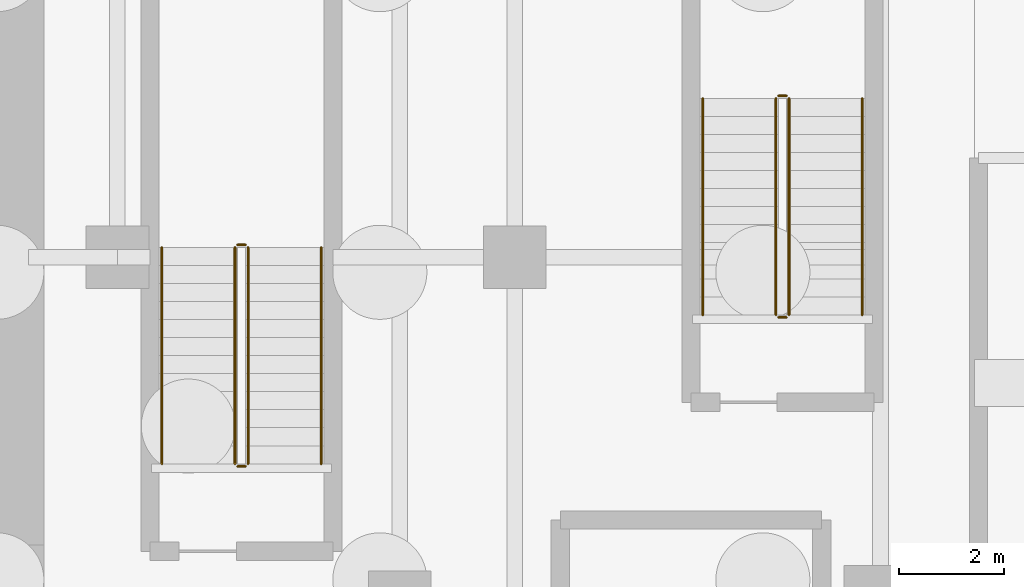
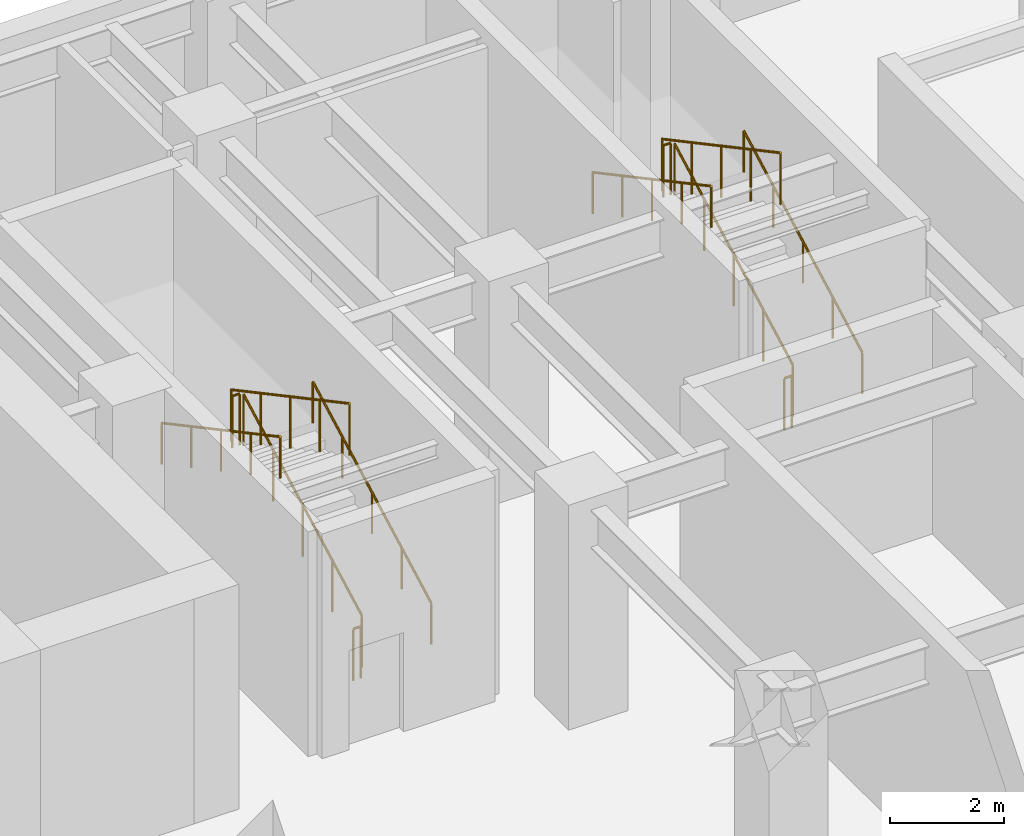
# One storey, part 8 of 9: 12 railings.
"""IFC4 building model written with IfcOpenShell, lengths in metres."""

from ifc_helpers import new_model, si_unit, direction, frame, origin, origin_2d, place, context, subcontext, project, spatial, circle, extrude, material, type_object, element, save


model = new_model("IFC4")

# Units and contexts
model_context = context("Model", 3, precision=1e-05, world=origin(), true_north=direction((0.0, 1.0)))
body_context = subcontext(model_context, "Body", "Model", "MODEL_VIEW")
ifc_project = project(units=[si_unit("LENGTHUNIT", "METRE"), si_unit("AREAUNIT", "SQUARE_METRE"), si_unit("VOLUMEUNIT", "CUBIC_METRE"), si_unit("PLANEANGLEUNIT", "RADIAN"), si_unit("MASSUNIT", "GRAM", prefix="KILO")], contexts=[model_context])

# Site, building, storey
site_placement = place(None, origin())
site = spatial("IfcSite", under=ifc_project, at=site_placement, CompositionType="ELEMENT")
building_placement = place(site_placement, origin())
building = spatial("IfcBuilding", under=site, at=building_placement, Name="Tolvann Quenvar Hotel", CompositionType="ELEMENT")
storey_placement = place(building_placement, frame((0.0, 0.0, -14.39990234375)))
storey = spatial("IfcBuildingStorey", under=building, at=storey_placement, Name="B03", CompositionType="ELEMENT", Elevation=-14.39990234375)

# Railings
ifc_material = material(Name="Brushed 316 stainless steel balustrade and handrail", Category="steel")
railing_type_1 = type_object("IfcRailingType", Name="GUARDRAIL", PredefinedType="GUARDRAIL", material=ifc_material)
railing_1_placement = place(storey_placement, frame((44.300048828125, 34.050048828125, 0.1845703125)))
element("IfcRailing", 1, at=railing_1_placement, inside=storey, type_object=railing_type_1, Name="B03 ST-B2 stair guard 1", PredefinedType="GUARDRAIL", context=body_context, shape_type="SweptSolid", body=[
    extrude(circle(Radius=0.02392578125, at=origin_2d()), frame((0.0, 0.0, 1.09619140625), z_axis=(0.0, 0.881698630289, 0.471813019475), x_axis=(-1.0, 0.0, 0.0)), (0.0, 0.0, 1.0), 4.6953125),
    extrude(circle(Radius=0.02099609375, at=origin_2d()), origin(), (0.0, 0.0, 1.0), 1.072021484375),
    extrude(circle(Radius=0.02099609375, at=origin_2d()), frame((0.0, 1.034912109375, 0.5537109375)), (0.0, 0.0, 1.0), 1.072021484375),
    extrude(circle(Radius=0.02099609375, at=origin_2d()), frame((0.0, 2.06982421875, 1.107666015625)), (0.0, 0.0, 1.0), 1.072021484375),
    extrude(circle(Radius=0.02099609375, at=origin_2d()), frame((0.0, 3.10498046875, 1.66162109375)), (0.0, 0.0, 1.0), 1.072021484375),
    extrude(circle(Radius=0.02099609375, at=origin_2d()), frame((0.0, 4.139892578125, 2.21533203125)), (0.0, 0.0, 1.0), 1.072021484375),
])
railing_2_placement = place(storey_placement, frame((44.25, 38.239990234375, 2.39990234375)))
element("IfcRailing", 2, at=railing_2_placement, inside=storey, type_object=railing_type_1, Name="B03 ST-B2 stair guard 2", PredefinedType="GUARDRAIL", context=body_context, shape_type="SweptSolid", body=[
    extrude(circle(Radius=0.02392578125, at=origin_2d()), frame((0.0, 0.0, 1.09619140625), z_axis=(-1.0, 0.0, 0.0), x_axis=(0.0, -1.0, 0.0)), (0.0, 0.0, 1.0), 0.14990234375),
    extrude(circle(Radius=0.02099609375, at=origin_2d()), origin(), (0.0, 0.0, 1.0), 1.072021484375),
    extrude(circle(Radius=0.02099609375, at=origin_2d()), frame((-0.14990234375, 0.0, 0.0)), (0.0, 0.0, 1.0), 1.072021484375),
])
railing_3_placement = place(storey_placement, frame((44.050048828125, 38.18994140625, 2.58447265625)))
element("IfcRailing", 3, at=railing_3_placement, inside=storey, type_object=railing_type_1, Name="B03 ST-B2 stair guard 3", PredefinedType="GUARDRAIL", context=body_context, shape_type="SweptSolid", body=[
    extrude(circle(Radius=0.02392578125, at=origin_2d()), frame((0.0, 0.0, 1.09619140625), z_axis=(0.0, -0.881698630289, 0.471813019475), x_axis=(1.0, 0.0, 0.0)), (0.0, 0.0, 1.0), 4.6953125),
    extrude(circle(Radius=0.02099609375, at=origin_2d()), origin(), (0.0, 0.0, 1.0), 1.072021484375),
    extrude(circle(Radius=0.02099609375, at=origin_2d()), frame((0.0, -1.034912109375, 0.5537109375)), (0.0, 0.0, 1.0), 1.072021484375),
    extrude(circle(Radius=0.02099609375, at=origin_2d()), frame((0.0, -2.06982421875, 1.107666015625)), (0.0, 0.0, 1.0), 1.072021484375),
    extrude(circle(Radius=0.02099609375, at=origin_2d()), frame((0.0, -3.10498046875, 1.66162109375)), (0.0, 0.0, 1.0), 1.072021484375),
    extrude(circle(Radius=0.02099609375, at=origin_2d()), frame((0.0, -4.139892578125, 2.21533203125)), (0.0, 0.0, 1.0), 1.072021484375),
])
railing_4_placement = place(storey_placement, frame((44.25, 34.0, 0.0)))
element("IfcRailing", 4, at=railing_4_placement, inside=storey, type_object=railing_type_1, Name="B03 ST-B2 stair guard 4", PredefinedType="GUARDRAIL", context=body_context, shape_type="SweptSolid", body=[
    extrude(circle(Radius=0.02392578125, at=origin_2d()), frame((0.0, 0.0, 1.09619140625), z_axis=(-1.0, 0.0, 0.0), x_axis=(0.0, -1.0, 0.0)), (0.0, 0.0, 1.0), 0.14990234375),
    extrude(circle(Radius=0.02099609375, at=origin_2d()), origin(), (0.0, 0.0, 1.0), 1.072021484375),
    extrude(circle(Radius=0.02099609375, at=origin_2d()), frame((-0.14990234375, 0.0, 0.0)), (0.0, 0.0, 1.0), 1.072021484375),
])
railing_5_placement = place(storey_placement, frame((54.64990234375, 36.89990234375, 0.1845703125)))
element("IfcRailing", 5, at=railing_5_placement, inside=storey, type_object=railing_type_1, Name="B03 ST-B3 stair guard 1", PredefinedType="GUARDRAIL", context=body_context, shape_type="SweptSolid", body=[
    extrude(circle(Radius=0.02392578125, at=origin_2d()), frame((0.0, 0.0, 1.09619140625), z_axis=(0.0, 0.881710204226, 0.47179139009), x_axis=(-1.0, 0.0, 0.0)), (0.0, 0.0, 1.0), 4.695556640625),
    extrude(circle(Radius=0.02099609375, at=origin_2d()), origin(), (0.0, 0.0, 1.0), 1.072021484375),
    extrude(circle(Radius=0.02099609375, at=origin_2d()), frame((0.0, 1.03515625, 0.5537109375)), (0.0, 0.0, 1.0), 1.072021484375),
    extrude(circle(Radius=0.02099609375, at=origin_2d()), frame((0.0, 2.070068359375, 1.107666015625)), (0.0, 0.0, 1.0), 1.072021484375),
    extrude(circle(Radius=0.02099609375, at=origin_2d()), frame((0.0, 3.10498046875, 1.66162109375)), (0.0, 0.0, 1.0), 1.072021484375),
    extrude(circle(Radius=0.02099609375, at=origin_2d()), frame((0.0, 4.14013671875, 2.21533203125)), (0.0, 0.0, 1.0), 1.072021484375),
])
railing_6_placement = place(storey_placement, frame((54.60009765625, 41.090087890625, 2.39990234375)))
element("IfcRailing", 6, at=railing_6_placement, inside=storey, type_object=railing_type_1, Name="B03 ST-B3 stair guard 2", PredefinedType="GUARDRAIL", context=body_context, shape_type="SweptSolid", body=[
    extrude(circle(Radius=0.02392578125, at=origin_2d()), frame((0.0, 0.0, 1.09619140625), z_axis=(-1.0, 0.0, 0.0), x_axis=(0.0, -1.0, 0.0)), (0.0, 0.0, 1.0), 0.150146484375),
    extrude(circle(Radius=0.02099609375, at=origin_2d()), origin(), (0.0, 0.0, 1.0), 1.072021484375),
    extrude(circle(Radius=0.02099609375, at=origin_2d()), frame((-0.150146484375, 0.0, 0.0)), (0.0, 0.0, 1.0), 1.072021484375),
])
railing_7_placement = place(storey_placement, frame((54.39990234375, 41.0400390625, 2.58447265625)))
element("IfcRailing", 7, at=railing_7_placement, inside=storey, type_object=railing_type_1, Name="B03 ST-B3 stair guard 3", PredefinedType="GUARDRAIL", context=body_context, shape_type="SweptSolid", body=[
    extrude(circle(Radius=0.02392578125, at=origin_2d()), frame((0.0, 0.0, 1.09619140625), z_axis=(0.0, -0.881710204226, 0.47179139009), x_axis=(1.0, 0.0, 0.0)), (0.0, 0.0, 1.0), 4.695556640625),
    extrude(circle(Radius=0.02099609375, at=origin_2d()), origin(), (0.0, 0.0, 1.0), 1.072021484375),
    extrude(circle(Radius=0.02099609375, at=origin_2d()), frame((0.0, -1.03515625, 0.5537109375)), (0.0, 0.0, 1.0), 1.072021484375),
    extrude(circle(Radius=0.02099609375, at=origin_2d()), frame((0.0, -2.070068359375, 1.107666015625)), (0.0, 0.0, 1.0), 1.072021484375),
    extrude(circle(Radius=0.02099609375, at=origin_2d()), frame((0.0, -3.10498046875, 1.66162109375)), (0.0, 0.0, 1.0), 1.072021484375),
    extrude(circle(Radius=0.02099609375, at=origin_2d()), frame((0.0, -4.14013671875, 2.21533203125)), (0.0, 0.0, 1.0), 1.072021484375),
])
railing_8_placement = place(storey_placement, frame((54.60009765625, 36.85009765625, 0.0)))
element("IfcRailing", 8, at=railing_8_placement, inside=storey, type_object=railing_type_1, Name="B03 ST-B3 stair guard 4", PredefinedType="GUARDRAIL", context=body_context, shape_type="SweptSolid", body=[
    extrude(circle(Radius=0.02392578125, at=origin_2d()), frame((0.0, 0.0, 1.09619140625), z_axis=(-1.0, 0.0, 0.0), x_axis=(0.0, -1.0, 0.0)), (0.0, 0.0, 1.0), 0.150146484375),
    extrude(circle(Radius=0.02099609375, at=origin_2d()), origin(), (0.0, 0.0, 1.0), 1.072021484375),
    extrude(circle(Radius=0.02099609375, at=origin_2d()), frame((-0.150146484375, 0.0, 0.0)), (0.0, 0.0, 1.0), 1.072021484375),
])
railing_type_2 = type_object("IfcRailingType", Name="HANDRAIL", PredefinedType="HANDRAIL", material=ifc_material)
railing_9_placement = place(storey_placement, frame((45.699951171875, 34.050048828125, 0.1845703125)))
element("IfcRailing", 9, at=railing_9_placement, inside=storey, type_object=railing_type_2, Name="B03 ST-B2 stair handrail 1", PredefinedType="HANDRAIL", context=body_context, shape_type="SweptSolid", body=[
    extrude(circle(Radius=0.02392578125, at=origin_2d()), frame((0.0, 0.0, 0.8759765625), z_axis=(0.0, 0.881698630289, 0.471813019475), x_axis=(-1.0, 0.0, 0.0)), (0.0, 0.0, 1.0), 4.6953125),
    extrude(circle(Radius=0.02099609375, at=origin_2d()), origin(), (0.0, 0.0, 1.0), 0.851806640625),
    extrude(circle(Radius=0.02099609375, at=origin_2d()), frame((0.0, 1.034912109375, 0.5537109375)), (0.0, 0.0, 1.0), 0.851806640625),
    extrude(circle(Radius=0.02099609375, at=origin_2d()), frame((0.0, 2.06982421875, 1.107666015625)), (0.0, 0.0, 1.0), 0.851806640625),
    extrude(circle(Radius=0.02099609375, at=origin_2d()), frame((0.0, 3.10498046875, 1.66162109375)), (0.0, 0.0, 1.0), 0.851806640625),
    extrude(circle(Radius=0.02099609375, at=origin_2d()), frame((0.0, 4.139892578125, 2.21533203125)), (0.0, 0.0, 1.0), 0.851806640625),
])
railing_10_placement = place(storey_placement, frame((42.64990234375, 38.18994140625, 2.58447265625)))
element("IfcRailing", 10, at=railing_10_placement, inside=storey, type_object=railing_type_2, Name="B03 ST-B2 stair handrail 2", PredefinedType="HANDRAIL", context=body_context, shape_type="SweptSolid", body=[
    extrude(circle(Radius=0.02392578125, at=origin_2d()), frame((0.0, 0.0, 0.8759765625), z_axis=(0.0, -0.881698630289, 0.471813019475), x_axis=(1.0, 0.0, 0.0)), (0.0, 0.0, 1.0), 4.6953125),
    extrude(circle(Radius=0.02099609375, at=origin_2d()), origin(), (0.0, 0.0, 1.0), 0.851806640625),
    extrude(circle(Radius=0.02099609375, at=origin_2d()), frame((0.0, -1.034912109375, 0.5537109375)), (0.0, 0.0, 1.0), 0.851806640625),
    extrude(circle(Radius=0.02099609375, at=origin_2d()), frame((0.0, -2.06982421875, 1.107666015625)), (0.0, 0.0, 1.0), 0.851806640625),
    extrude(circle(Radius=0.02099609375, at=origin_2d()), frame((0.0, -3.10498046875, 1.66162109375)), (0.0, 0.0, 1.0), 0.851806640625),
    extrude(circle(Radius=0.02099609375, at=origin_2d()), frame((0.0, -4.139892578125, 2.21533203125)), (0.0, 0.0, 1.0), 0.851806640625),
])
railing_11_placement = place(storey_placement, frame((56.050048828125, 36.89990234375, 0.1845703125)))
element("IfcRailing", 11, at=railing_11_placement, inside=storey, type_object=railing_type_2, Name="B03 ST-B3 stair handrail 1", PredefinedType="HANDRAIL", context=body_context, shape_type="SweptSolid", body=[
    extrude(circle(Radius=0.02392578125, at=origin_2d()), frame((0.0, 0.0, 0.8759765625), z_axis=(0.0, 0.881710204226, 0.47179139009), x_axis=(-1.0, 0.0, 0.0)), (0.0, 0.0, 1.0), 4.695556640625),
    extrude(circle(Radius=0.02099609375, at=origin_2d()), origin(), (0.0, 0.0, 1.0), 0.851806640625),
    extrude(circle(Radius=0.02099609375, at=origin_2d()), frame((0.0, 1.03515625, 0.5537109375)), (0.0, 0.0, 1.0), 0.851806640625),
    extrude(circle(Radius=0.02099609375, at=origin_2d()), frame((0.0, 2.070068359375, 1.107666015625)), (0.0, 0.0, 1.0), 0.851806640625),
    extrude(circle(Radius=0.02099609375, at=origin_2d()), frame((0.0, 3.10498046875, 1.66162109375)), (0.0, 0.0, 1.0), 0.851806640625),
    extrude(circle(Radius=0.02099609375, at=origin_2d()), frame((0.0, 4.14013671875, 2.21533203125)), (0.0, 0.0, 1.0), 0.851806640625),
])
railing_12_placement = place(storey_placement, frame((53.0, 41.0400390625, 2.58447265625)))
element("IfcRailing", 12, at=railing_12_placement, inside=storey, type_object=railing_type_2, Name="B03 ST-B3 stair handrail 2", PredefinedType="HANDRAIL", context=body_context, shape_type="SweptSolid", body=[
    extrude(circle(Radius=0.02392578125, at=origin_2d()), frame((0.0, 0.0, 0.8759765625), z_axis=(0.0, -0.881710204226, 0.47179139009), x_axis=(1.0, 0.0, 0.0)), (0.0, 0.0, 1.0), 4.695556640625),
    extrude(circle(Radius=0.02099609375, at=origin_2d()), origin(), (0.0, 0.0, 1.0), 0.851806640625),
    extrude(circle(Radius=0.02099609375, at=origin_2d()), frame((0.0, -1.03515625, 0.5537109375)), (0.0, 0.0, 1.0), 0.851806640625),
    extrude(circle(Radius=0.02099609375, at=origin_2d()), frame((0.0, -2.070068359375, 1.107666015625)), (0.0, 0.0, 1.0), 0.851806640625),
    extrude(circle(Radius=0.02099609375, at=origin_2d()), frame((0.0, -3.10498046875, 1.66162109375)), (0.0, 0.0, 1.0), 0.851806640625),
    extrude(circle(Radius=0.02099609375, at=origin_2d()), frame((0.0, -4.14013671875, 2.21533203125)), (0.0, 0.0, 1.0), 0.851806640625),
])

save(model, "model.ifc")
